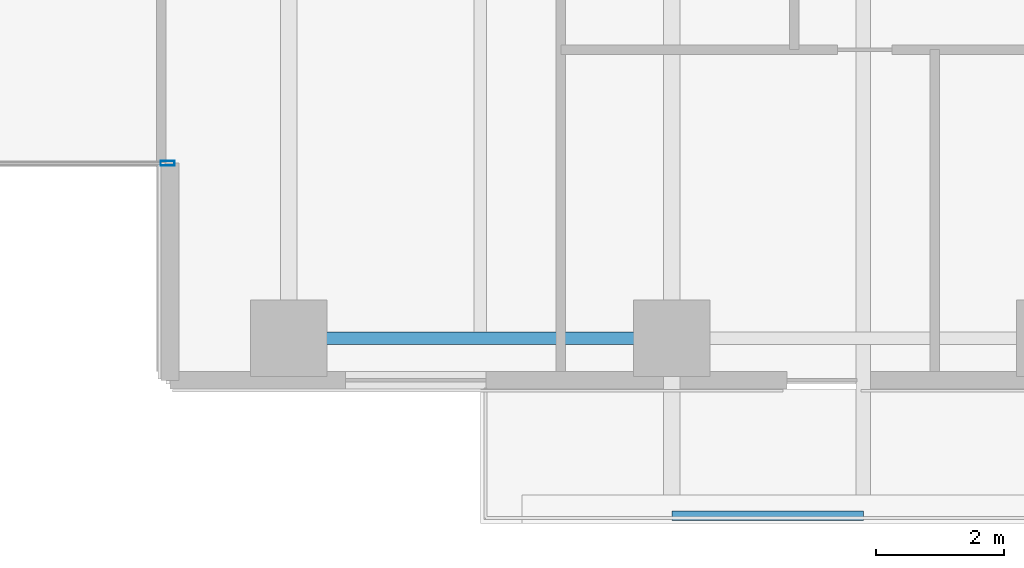
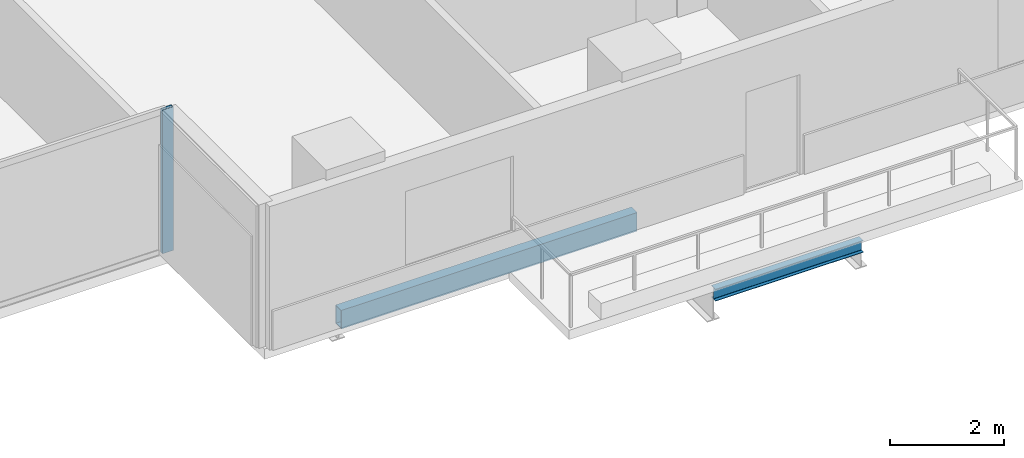
# One storey, part 6 of 33: 2 beams, 1 member, 1 element without a shape of its own.
"""IFC4 building model written with IfcOpenShell, lengths in metres."""

import ifcopenshell
import ifcopenshell.guid

model = None  # the IFC model being written
_history = None  # IfcOwnerHistory: only IFC2X3 demands one
_inside = {}  # id of a spatial element -> (the spatial element, [elements in it])
_under = {}  # id of a project, library or spatial element -> (it, [spatial elements below it])
_declared = {}  # id of a project -> (the project, [libraries it declares])
_typed = {}  # id of a type object -> (the type object, [elements of that type])
_made_of = {}  # id of a material, layer set ... -> (it, [elements and type objects made of it])


def new_model(schema):
    """Start an empty IFC model of exactly this schema.

    Asked for "IFC4X3", IfcOpenShell would pick the latest addendum, in which some entities
    have other attributes; the version numbers below select the first issue.
    IFC2X3 requires an IfcOwnerHistory on every rooted entity: one is made here for all.
    """
    global model, _history
    if schema == "IFC4X3":
        model = ifcopenshell.file(schema_version=(4, 3, 0, 0))
    else:
        model = ifcopenshell.file(schema=schema)
    _inside.clear()
    _under.clear()
    _declared.clear()
    _typed.clear()
    _made_of.clear()
    _history = None
    if model.schema == "IFC2X3":
        org = make("IfcOrganization", Name="unknown")
        user = make(
            "IfcPersonAndOrganization",
            ThePerson=make("IfcPerson", FamilyName="unknown"),
            TheOrganization=org,
        )
        app = make(
            "IfcApplication",
            ApplicationDeveloper=org,
            Version="unknown",
            ApplicationFullName="unknown",
            ApplicationIdentifier="unknown",
        )
        _history = make(
            "IfcOwnerHistory",
            OwningUser=user,
            OwningApplication=app,
            ChangeAction="ADDED",
            CreationDate=0,
        )
    return model


def make(cls, **values):
    """One entity of the class cls with the attributes given. An attribute that is None is left unset."""
    return model.create_entity(
        cls, **{name: value for name, value in values.items() if value is not None}
    )


def rooted(cls, **values):
    """An entity with a GlobalId (a new one), such as an element, a storey or a relation."""
    return make(cls, GlobalId=ifcopenshell.guid.new(), OwnerHistory=_history, **values)


def si_unit(unit_type, name, prefix=None):
    """IfcSIUnit, for example si_unit("LENGTHUNIT", "METRE", prefix="MILLI")."""
    return make("IfcSIUnit", UnitType=unit_type, Prefix=prefix, Name=name)


def assignment(units):
    """IfcUnitAssignment: the units of a project."""
    return None if units is None else make("IfcUnitAssignment", Units=units)


def point(xyz):
    """IfcCartesianPoint."""
    return None if xyz is None else make("IfcCartesianPoint", Coordinates=xyz)


def direction(xyz):
    """IfcDirection."""
    return None if xyz is None else make("IfcDirection", DirectionRatios=xyz)


def frame(location, z_axis=None, x_axis=None):
    """IfcAxis2Placement3D, a coordinate frame: its origin and axes. An axis left out is left unset."""
    return make(
        "IfcAxis2Placement3D",
        Location=point(location),
        Axis=direction(z_axis),
        RefDirection=direction(x_axis),
    )


def frame_2d(location, x_axis=None):
    """IfcAxis2Placement2D, a coordinate frame in the plane: its origin and x axis."""
    return make(
        "IfcAxis2Placement2D", Location=point(location), RefDirection=direction(x_axis)
    )


def origin():
    """The frame at (0, 0, 0) with its axes left unset."""
    return frame((0.0, 0.0, 0.0))


def origin_2d():
    """The frame at (0, 0) in the plane with its x axis left unset."""
    return frame_2d((0.0, 0.0))


def place(relative_to, where):
    """IfcLocalPlacement: puts the frame where relative to a parent placement (None: the world)."""
    return make(
        "IfcLocalPlacement", PlacementRelTo=relative_to, RelativePlacement=where
    )


def context(
    kind, dimensions, precision=None, world=None, true_north=None, identifier=None
):
    """IfcGeometricRepresentationContext, for example the 3D "Model" context."""
    return make(
        "IfcGeometricRepresentationContext",
        ContextIdentifier=identifier,
        ContextType=kind,
        CoordinateSpaceDimension=dimensions,
        Precision=precision,
        WorldCoordinateSystem=world,
        TrueNorth=true_north,
    )


def subcontext(parent, identifier, kind, view, scale=None):
    """IfcGeometricRepresentationSubContext, for example "Body" below "Model"."""
    return make(
        "IfcGeometricRepresentationSubContext",
        ContextIdentifier=identifier,
        ContextType=kind,
        ParentContext=parent,
        TargetScale=scale,
        TargetView=view,
    )


def project(units=None, contexts=None):
    """IfcProject with its units and contexts."""
    return rooted(
        "IfcProject",
        Name="project",
        RepresentationContexts=contexts,
        UnitsInContext=assignment(units),
    )


def spatial(cls, under=None, at=None, **own):
    """A site, building, storey or space (cls), placed at a placement, below another one or the project."""
    s = rooted(cls, ObjectPlacement=at, **own)
    if under is not None:
        _under.setdefault(under.id(), (under, []))[1].append(s)
    return s


def profile(cls, at=None, kind="AREA", **sizes):
    """A parametric profile (cls). Its sizes go by their IFC names, for example OverallWidth=200.0."""
    return make(cls, ProfileType=kind, Position=at, **sizes)


def hollow_rectangle(**sizes):
    """IfcRectangleHollowProfileDef."""
    return profile("IfcRectangleHollowProfileDef", **sizes)


def i_section(**sizes):
    """IfcIShapeProfileDef."""
    return profile("IfcIShapeProfileDef", **sizes)


def extrude(swept, where, along, depth):
    """IfcExtrudedAreaSolid: the profile swept, set in the frame where, extruded along a direction by depth."""
    return make(
        "IfcExtrudedAreaSolid",
        SweptArea=swept,
        Position=where,
        ExtrudedDirection=direction(along),
        Depth=depth,
    )


def shape(context_of_items, identifier, shape_type, items):
    """IfcShapeRepresentation: the items that make up one representation, for example the "Body"."""
    return make(
        "IfcShapeRepresentation",
        ContextOfItems=context_of_items,
        RepresentationIdentifier=identifier,
        RepresentationType=shape_type,
        Items=items,
    )


def material(Name=None, Category=None):
    """IfcMaterial."""
    return make("IfcMaterial", Name=Name, Category=Category)


def layer(
    of_material, thickness, ventilated=None, Name=None, Category=None, Priority=None
):
    """IfcMaterialLayer: one layer of a wall or slab, of a material (None: an air gap)."""
    return make(
        "IfcMaterialLayer",
        Material=of_material,
        LayerThickness=thickness,
        IsVentilated=ventilated,
        Name=Name,
        Category=Category,
        Priority=Priority,
    )


def layer_set(layers, Name=None):
    """IfcMaterialLayerSet."""
    return make("IfcMaterialLayerSet", MaterialLayers=layers, LayerSetName=Name)


def material_profile(
    of_material, cross_section, Name=None, Category=None, Priority=None
):
    """IfcMaterialProfile: a cross section and its material."""
    return make(
        "IfcMaterialProfile",
        Name=Name,
        Material=of_material,
        Profile=cross_section,
        Priority=Priority,
        Category=Category,
    )


def profile_set(profiles, Name=None, composite=None):
    """IfcMaterialProfileSet."""
    return make(
        "IfcMaterialProfileSet",
        Name=Name,
        MaterialProfiles=profiles,
        CompositeProfile=composite,
    )


def made_of(thing, what):
    """Note that an element or type object is made of a material, layer set ...; save() writes the relation."""
    if what is not None:
        _made_of.setdefault(what.id(), (what, []))[1].append(thing)
    return thing


def type_object(cls, material=None, **own):
    """A type object (cls), such as IfcWallType, which elements share."""
    return made_of(rooted(cls, **own), material)


def element(
    cls,
    number,
    at=None,
    inside=None,
    cuts=None,
    type_object=None,
    material=None,
    context=None,
    identifier="Body",
    shape_type=None,
    held_by="IfcProductDefinitionShape",
    body=None,
    shapes=None,
    **own,
):
    """One element of the class cls, such as IfcWall. Its Tag is "e" and its number.

    at: its placement. inside: the storey or other place that contains it. cuts: it is an
    opening in that element (IfcRelVoidsElement). A single representation is given by context,
    identifier, shape_type and body (its items); several are given by shapes. held_by: the class
    of the entity that holds the representations. save() writes the other relations.
    """
    e = rooted(cls, Tag="e%d" % number, ObjectPlacement=at, **own)
    if body is not None:
        shapes = [shape(context, identifier, shape_type, body)]
    if shapes is not None:
        e.Representation = make(held_by, Representations=shapes)
    if inside is not None:
        _inside.setdefault(inside.id(), (inside, []))[1].append(e)
    if cuts is not None:
        rooted(
            "IfcRelVoidsElement", RelatingBuildingElement=cuts, RelatedOpeningElement=e
        )
    if type_object is not None:
        _typed.setdefault(type_object.id(), (type_object, []))[1].append(e)
    return made_of(e, material)


def aggregate(whole, parts):
    """IfcRelAggregates: a whole, such as a stair, and the parts it consists of."""
    return rooted("IfcRelAggregates", RelatingObject=whole, RelatedObjects=parts)


def save(model, path):
    """Write the relations noted so far, then the file.

    IfcRelAggregates (storeys below a building ...), IfcRelContainedInSpatialStructure (elements
    in a storey), IfcRelDefinesByType, IfcRelAssociatesMaterial and IfcRelDeclares: one each for
    every whole, place, type object, material and project.
    """
    for whole, parts in _under.values():
        aggregate(whole, parts)
    for where, things in _inside.values():
        rooted(
            "IfcRelContainedInSpatialStructure",
            RelatedElements=things,
            RelatingStructure=where,
        )
    for kind, things in _typed.values():
        rooted("IfcRelDefinesByType", RelatedObjects=things, RelatingType=kind)
    for what, things in _made_of.values():
        rooted("IfcRelAssociatesMaterial", RelatedObjects=things, RelatingMaterial=what)
    for by, libraries in _declared.values():
        rooted("IfcRelDeclares", RelatingContext=by, RelatedDefinitions=libraries)
    model.write(path)


model = new_model("IFC4")

# Units and contexts
model_context = context("Model", 3, precision=1e-05, world=origin(), true_north=direction((0.0, 1.0)))
body_context = subcontext(model_context, "Body", "Model", "MODEL_VIEW")
ifc_project = project(units=[si_unit("LENGTHUNIT", "METRE"), si_unit("AREAUNIT", "SQUARE_METRE"), si_unit("VOLUMEUNIT", "CUBIC_METRE"), si_unit("PLANEANGLEUNIT", "RADIAN"), si_unit("MASSUNIT", "GRAM", prefix="KILO")], contexts=[model_context])

# Site, building, storey
site_placement = place(None, origin())
site = spatial("IfcSite", under=ifc_project, at=site_placement, CompositionType="ELEMENT")
building_placement = place(site_placement, origin())
building = spatial("IfcBuilding", under=site, at=building_placement, Name="Tanjung Sevakor Pilgrim Tower", CompositionType="ELEMENT")
storey_placement = place(building_placement, frame((0.0, 0.0, 32.340087890625)))
storey = spatial("IfcBuildingStorey", under=building, at=storey_placement, Name="L08", CompositionType="ELEMENT", Elevation=32.340087890625)

# Beams
ifc_material_1 = material(Name="Steel S355J2", Category="steel")
ifc_material_profile_1 = material_profile(ifc_material_1, i_section(OverallWidth=0.146484375, OverallDepth=0.256103515625, WebThickness=0.00634765625, FlangeThickness=0.010986328125, FilletRadius=0.007568359375, at=origin_2d()))
ifc_profile_set_1 = profile_set([ifc_material_profile_1], Name="Steel S355J2")
beam_type_1 = type_object("IfcBeamType", Name="BM-B-J6-UB_254x146x37", PredefinedType="JOIST", material=ifc_profile_set_1)
beam_1_placement = place(storey_placement, frame((60.0, 5.6201171875, -0.328125), z_axis=(1.0, 0.0, 0.0), x_axis=(0.0, 1.0, 0.0)))
element("IfcBeam", 1, at=beam_1_placement, inside=storey, type_object=beam_type_1, Name="L08 Balcony Rim Tie MAIN-S2", PredefinedType="JOIST", context=body_context, shape_type="SweptSolid", body=[
    extrude(i_section(OverallWidth=0.146484375, OverallDepth=0.256103515625, WebThickness=0.00634765625, FlangeThickness=0.010986328125, FilletRadius=0.007568359375, at=origin_2d()), origin(), (0.0, 0.0, 1.0), 3.0),
])
ifc_material_2 = material(Name="Steel S355J2", Category="steel")
ifc_material_profile_2 = material_profile(ifc_material_2, hollow_rectangle(XDim=0.199951171875, YDim=0.39990234375, WallThickness=0.01611328125, at=origin_2d()))
ifc_profile_set_2 = profile_set([ifc_material_profile_2], Name="Steel S355J2")
beam_type_2 = type_object("IfcBeamType", Name="BM-B-SP2-RHS_400x200x16", PredefinedType="SPANDREL", material=ifc_profile_set_2)
beam_2_placement = place(storey_placement, frame((54.0, 8.39990234375, -0.420166015625), z_axis=(1.0, 0.0, 0.0), x_axis=(0.0, 1.0, 0.0)))
element("IfcBeam", 2, at=beam_2_placement, inside=storey, type_object=beam_type_2, Name="L08 Spandrel MAIN S-07", PredefinedType="SPANDREL", context=body_context, shape_type="SweptSolid", body=[
    extrude(hollow_rectangle(XDim=0.199951171875, YDim=0.39990234375, WallThickness=0.01611328125, at=origin_2d()), origin(), (0.0, 0.0, 1.0), 6.0),
])

# Curtain wall, member
ifc_material_3 = material(Name="Aluminium 6063-T6 and Low-E Glass", Category="aluminium")
ifc_layer = layer(ifc_material_3, 0.179931640625)
ifc_layer_set = layer_set([ifc_layer], Name="CW-SYS-CLEFT")
curtain_wall_type = type_object("IfcCurtainWallType", Name="CW-SYS-CLEFT", PredefinedType="NOTDEFINED", material=ifc_layer_set)
curtain_wall_placement = place(storey_placement, origin())
curtain_wall = element("IfcCurtainWall", 3, at=curtain_wall_placement, inside=storey, type_object=curtain_wall_type, Name="L08 Curtain Wall CW-CLF-L08-2", PredefinedType="NOTDEFINED")
ifc_material_4 = material(Name="Aluminium 6063-T6", Category="aluminium")
ifc_material_profile_3 = material_profile(ifc_material_4, hollow_rectangle(XDim=0.074951171875, YDim=0.219970703125, WallThickness=0.0048828125, at=origin_2d()))
ifc_profile_set_3 = profile_set([ifc_material_profile_3], Name="Aluminium 6063-T6")
member_type = type_object("IfcMemberType", Name="TYPE-CWM-2", PredefinedType="MULLION", material=ifc_profile_set_3)
member_placement = place(storey_placement, frame((52.1025390625, 11.139892578125, 0.0), z_axis=(0.0, 0.0, 1.0), x_axis=(0.0, 1.0, 0.0)))
member = element("IfcMember", 4, at=member_placement, type_object=member_type, Name="CW-CLF mullion 2", PredefinedType="MULLION", context=body_context, shape_type="SweptSolid", body=[
    extrude(hollow_rectangle(XDim=0.074951171875, YDim=0.219970703125, WallThickness=0.0048828125, at=origin_2d()), origin(), (0.0, 0.0, 1.0), 3.079833984375),
])
aggregate(curtain_wall, [member])

save(model, "model.ifc")
